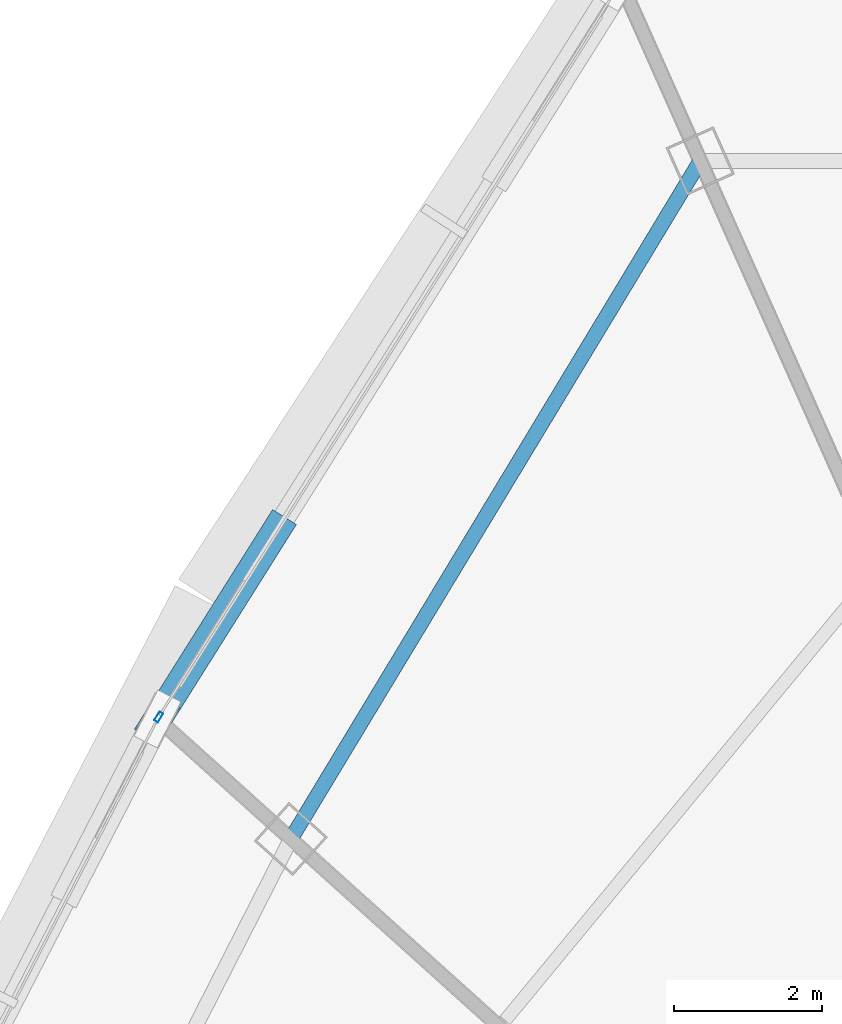
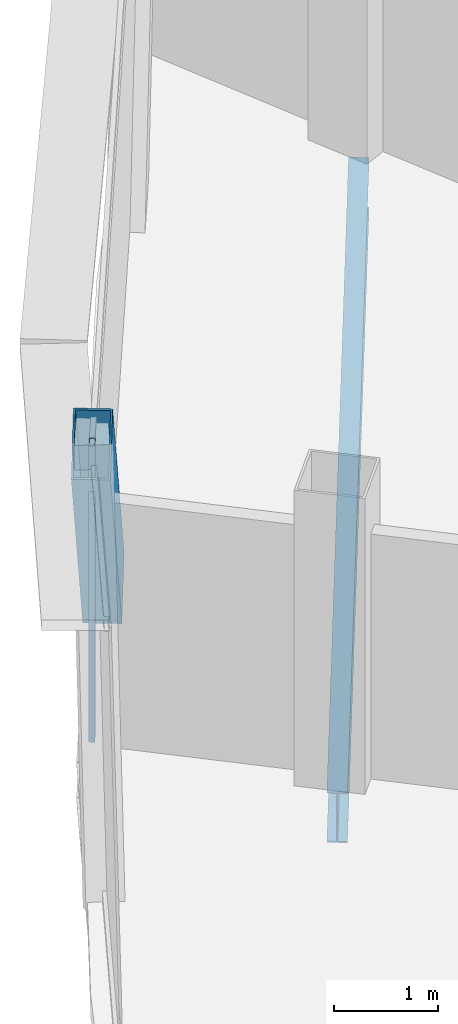
# One storey, part 9 of 30: 2 members, 1 beam, 1 element without a shape of its own.
"""IFC4 building model written with IfcOpenShell, lengths in metres."""

from ifc_helpers import new_model, si_unit, direction, frame, origin, origin_2d, place, context, subcontext, project, spatial, hollow_rectangle, i_section, extrude, source, transform, mapped, material, layer, layer_set, material_profile, profile_set, type_object, element, aggregate, save


model = new_model("IFC4")

# Units and contexts
model_context = context("Model", 3, precision=1e-05, world=origin(), true_north=direction((0.0, 1.0)))
body_context = subcontext(model_context, "Body", "Model", "MODEL_VIEW")
ifc_project = project(units=[si_unit("LENGTHUNIT", "METRE"), si_unit("AREAUNIT", "SQUARE_METRE"), si_unit("VOLUMEUNIT", "CUBIC_METRE"), si_unit("PLANEANGLEUNIT", "RADIAN"), si_unit("MASSUNIT", "GRAM", prefix="KILO"), si_unit("THERMODYNAMICTEMPERATUREUNIT", "KELVIN"), si_unit("POWERUNIT", "WATT")], contexts=[model_context])

# Site, building, storey
site_placement = place(None, origin())
site = spatial("IfcSite", under=ifc_project, at=site_placement, CompositionType="ELEMENT")
building_placement = place(site_placement, origin())
building = spatial("IfcBuilding", under=site, at=building_placement, Name="Yunzhuo Pagoda Commons", CompositionType="ELEMENT")
storey_placement = place(building_placement, frame((0.0, 0.0, 348.010009765625)))
storey = spatial("IfcBuildingStorey", under=building, at=storey_placement, Name="L87", CompositionType="ELEMENT", Elevation=348.010009765625)

# Beam
ifc_material_1 = material(Name="Structural steel Q355B", Category="steel")
ifc_material_profile_1 = material_profile(ifc_material_1, i_section(OverallWidth=0.199951171875, OverallDepth=0.60009765625, WebThickness=0.010986328125, FlangeThickness=0.01708984375, at=origin_2d()), Name="Structural steel Q355B")
ifc_profile_set_1 = profile_set([ifc_material_profile_1], Name="Structural steel Q355B")
beam_type = type_object("IfcBeamType", Name="B-RG3 Beam HN 600x200x11x17", PredefinedType="BEAM", material=ifc_profile_set_1)
shared_shape_1 = source(origin(), body_context, "Body", "SweptSolid", [
    extrude(i_section(OverallWidth=0.199951171875, OverallDepth=0.60009765625, WebThickness=0.010986328125, FlangeThickness=0.01708984375, at=origin_2d()), origin(), (0.0, 0.0, 1.0), 10.691162109375),
])
beam_placement = place(storey_placement, frame((37.501220703125, 57.281005859375, -0.56005859375), z_axis=(-0.516864678433, -0.856067114301, 0.0), x_axis=(0.856067114301, -0.516864678433, 0.0)))
element("IfcBeam", 1, at=beam_placement, inside=storey, type_object=beam_type, Name="L87 column-ring beam 9", PredefinedType="BEAM", context=body_context, shape_type="MappedRepresentation", body=[
    mapped(shared_shape_1, transform((0.0, 0.0, 0.0), scale=1.0)),
])

# Member
ifc_material_profile_2 = material_profile(ifc_material_1, hollow_rectangle(XDim=0.3798828125, YDim=0.719970703125, WallThickness=0.02001953125, at=origin_2d()), Name="Structural steel Q355B")
ifc_profile_set_2 = profile_set([ifc_material_profile_2], Name="Structural steel Q355B")
member_type_1 = type_object("IfcMemberType", Name="M-DL3 Brace BOX 720x380x20", PredefinedType="BRACE", material=ifc_profile_set_2)
shared_shape_2 = source(origin(), body_context, "Body", "SweptSolid", [
    extrude(hollow_rectangle(XDim=0.3798828125, YDim=0.719970703125, WallThickness=0.02001953125, at=origin_2d()), origin(), (0.0, 0.0, 1.0), 4.7626953125),
])
member_1_placement = place(storey_placement, frame((31.738525390625, 52.23486328125, -0.260009765625), z_axis=(-0.328170512909, -0.521884409861, 0.787363179988), x_axis=(0.846542342318, -0.532321390386, 0.0)))
element("IfcMember", 2, at=member_1_placement, inside=storey, type_object=member_type_1, Name="L87 facade diamond brace F3.1R", PredefinedType="BRACE", context=body_context, shape_type="MappedRepresentation", body=[
    mapped(shared_shape_2, transform((0.0, 0.0, 0.0), scale=1.0)),
])

# Curtain wall, member
ifc_material_2 = material(Name="Anodized aluminium 6063-T6", Category="aluminium")
ifc_layer = layer(ifc_material_2, 0.139892578125)
ifc_layer_set = layer_set([ifc_layer], Name="Anodized aluminium 6063-T6")
curtain_wall_type = type_object("IfcCurtainWallType", Name="CW-HI High-Zone Ribbon Curtain Wall", PredefinedType="NOTDEFINED", material=ifc_layer_set)
curtain_wall_placement = place(storey_placement, origin())
curtain_wall = element("IfcCurtainWall", 3, at=curtain_wall_placement, inside=storey, type_object=curtain_wall_type, Name="L87 curtain wall CW-L87-F3B2", PredefinedType="NOTDEFINED")
ifc_material_profile_3 = material_profile(ifc_material_2, hollow_rectangle(XDim=0.06005859375, YDim=0.139892578125, WallThickness=0.00341796875, at=origin_2d()), Name="Anodized aluminium 6063-T6")
ifc_profile_set_3 = profile_set([ifc_material_profile_3], Name="Anodized aluminium 6063-T6")
member_type_2 = type_object("IfcMemberType", Name="CW-HI-M Mullion RHS 140x60x3.5", PredefinedType="MULLION", material=ifc_profile_set_3)
shared_shape_3 = source(origin(), body_context, "Body", "SweptSolid", [
    extrude(hollow_rectangle(XDim=0.06005859375, YDim=0.139892578125, WallThickness=0.00341796875, at=origin_2d()), origin(), (0.0, 0.0, 1.0), 3.489990234375),
])
member_2_placement = place(storey_placement, frame((30.19140625, 49.774658203125, 0.0), z_axis=(0.0, 0.0, 1.0), x_axis=(0.846524621891, -0.532349569861, 0.0)))
member_2 = element("IfcMember", 4, at=member_2_placement, type_object=member_type_2, Name="CW mullion 2", PredefinedType="MULLION", context=body_context, shape_type="MappedRepresentation", body=[
    mapped(shared_shape_3, transform((0.0, 0.0, 0.0), scale=1.0)),
])
aggregate(curtain_wall, [member_2])

save(model, "model.ifc")
